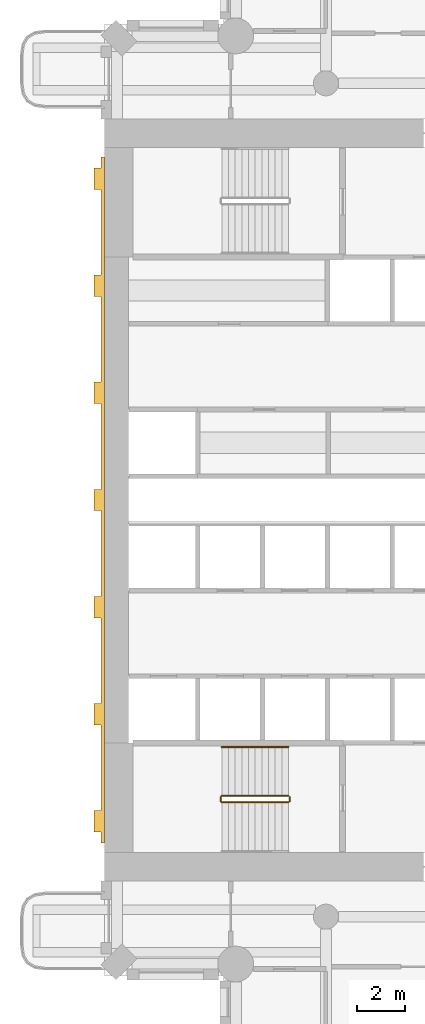
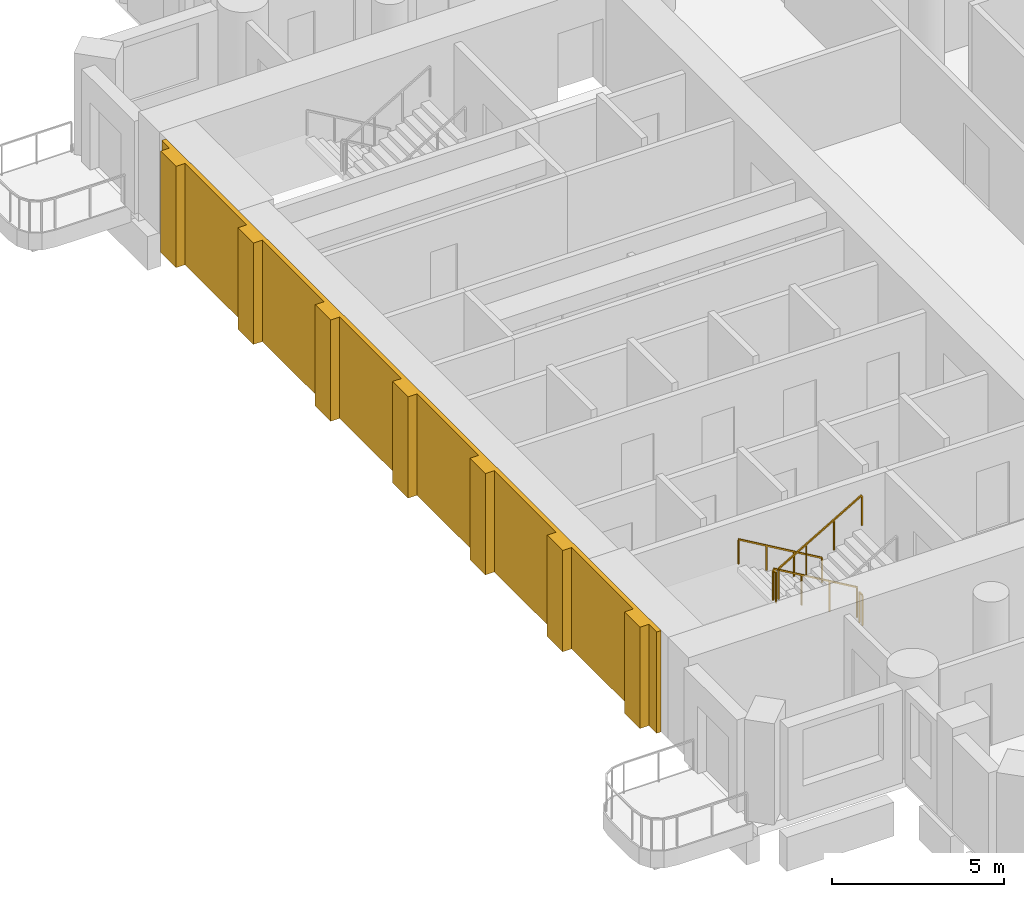
# One storey, part 13 of 19: 5 railings, 1 covering.
"""IFC4 building model written with IfcOpenShell, lengths in metres."""

from ifc_helpers import new_model, si_unit, direction, frame, origin, origin_2d, place, context, subcontext, project, spatial, polyline, rectangle, outline, extrude, material, layer, layer_set, type_object, element, save


model = new_model("IFC4")

# Units and contexts
model_context = context("Model", 3, precision=1e-05, world=origin(), true_north=direction((0.0, 1.0)))
body_context = subcontext(model_context, "Body", "Model", "MODEL_VIEW")
ifc_project = project(units=[si_unit("LENGTHUNIT", "METRE"), si_unit("AREAUNIT", "SQUARE_METRE"), si_unit("VOLUMEUNIT", "CUBIC_METRE"), si_unit("PLANEANGLEUNIT", "RADIAN"), si_unit("MASSUNIT", "GRAM", prefix="KILO")], contexts=[model_context])

# Site, building, storey
site_placement = place(None, origin())
site = spatial("IfcSite", under=ifc_project, at=site_placement, CompositionType="ELEMENT")
building_placement = place(site_placement, origin())
building = spatial("IfcBuilding", under=site, at=building_placement, Name="Cypress Arch Tower", CompositionType="ELEMENT")
storey_placement = place(building_placement, frame((0.0, 0.0, 138.300048828125)))
storey = spatial("IfcBuildingStorey", under=building, at=storey_placement, Name="L30", CompositionType="ELEMENT", Elevation=138.300048828125)

# Railings
ifc_material_1 = material(Name="Black powder-coated steel square bar 48 mm", Category="steel")
railing_type_1 = type_object("IfcRailingType", Name="Stair handrail HR1", PredefinedType="HANDRAIL", material=ifc_material_1)
railing_1_placement = place(storey_placement, frame((-22.27490234375, -10.375, 0.16357421875)))
element("IfcRailing", 1, at=railing_1_placement, inside=storey, type_object=railing_type_1, Name="L30 A stair handrail 1", PredefinedType="HANDRAIL", context=body_context, shape_type="SweptSolid", body=[
    extrude(rectangle(XDim=0.048095703125, YDim=0.048095703125, at=origin_2d()), frame((0.0, 0.0, 0.8759765625), z_axis=(-0.863360870873, 0.0, 0.504586966384), x_axis=(0.0, -1.0, 0.0)), (0.0, 0.0, 1.0), 3.2431640625),
    extrude(rectangle(XDim=0.0419921875, YDim=0.0419921875, at=origin_2d()), origin(), (0.0, 0.0, 1.0), 0.851806640625),
    extrude(rectangle(XDim=0.0419921875, YDim=0.0419921875, at=origin_2d()), frame((-0.933349609375, 0.0, 0.54541015625)), (0.0, 0.0, 1.0), 0.851806640625),
    extrude(rectangle(XDim=0.0419921875, YDim=0.0419921875, at=origin_2d()), frame((-1.86669921875, 0.0, 1.091064453125)), (0.0, 0.0, 1.0), 0.851806640625),
    extrude(rectangle(XDim=0.0419921875, YDim=0.0419921875, at=origin_2d()), frame((-2.800048828125, 0.0, 1.636474609375)), (0.0, 0.0, 1.0), 0.851806640625),
])
ifc_material_2 = material(Name="Black powder-coated steel balusters", Category="steel")
railing_type_2 = type_object("IfcRailingType", Name="Stair well guard G1", PredefinedType="GUARDRAIL", material=ifc_material_2)
railing_2_placement = place(storey_placement, frame((-22.27490234375, -12.425048828125, 0.16357421875)))
element("IfcRailing", 2, at=railing_2_placement, inside=storey, type_object=railing_type_2, Name="L30 A stair guard 1", PredefinedType="GUARDRAIL", context=body_context, shape_type="SweptSolid", body=[
    extrude(rectangle(XDim=0.048095703125, YDim=0.048095703125, at=origin_2d()), frame((0.0, 0.0, 1.076171875), z_axis=(-0.863360870873, 0.0, 0.504586966384), x_axis=(0.0, -1.0, 0.0)), (0.0, 0.0, 1.0), 3.2431640625),
    extrude(rectangle(XDim=0.0419921875, YDim=0.0419921875, at=origin_2d()), origin(), (0.0, 0.0, 1.0), 1.052001953125),
    extrude(rectangle(XDim=0.0419921875, YDim=0.0419921875, at=origin_2d()), frame((-0.933349609375, 0.0, 0.54541015625)), (0.0, 0.0, 1.0), 1.052001953125),
    extrude(rectangle(XDim=0.0419921875, YDim=0.0419921875, at=origin_2d()), frame((-1.86669921875, 0.0, 1.091064453125)), (0.0, 0.0, 1.0), 1.052001953125),
    extrude(rectangle(XDim=0.0419921875, YDim=0.0419921875, at=origin_2d()), frame((-2.800048828125, 0.0, 1.636474609375)), (0.0, 0.0, 1.0), 1.052001953125),
])
railing_3_placement = place(storey_placement, frame((-25.125, -12.47509765625, 1.800048828125)))
element("IfcRailing", 3, at=railing_3_placement, inside=storey, type_object=railing_type_2, Name="L30 A stair guard 2", PredefinedType="GUARDRAIL", context=body_context, shape_type="SweptSolid", body=[
    extrude(rectangle(XDim=0.048095703125, YDim=0.048095703125, at=origin_2d()), frame((0.0, 0.0, 1.076171875), z_axis=(0.0, -1.0, 0.0), x_axis=(1.0, 0.0, 0.0)), (0.0, 0.0, 1.0), 0.1748046875),
    extrude(rectangle(XDim=0.0419921875, YDim=0.0419921875, at=origin_2d()), origin(), (0.0, 0.0, 1.0), 1.052001953125),
    extrude(rectangle(XDim=0.0419921875, YDim=0.0419921875, at=origin_2d()), frame((0.0, -0.1748046875, 0.0)), (0.0, 0.0, 1.0), 1.052001953125),
])
railing_4_placement = place(storey_placement, frame((-25.074951171875, -12.699951171875, 1.963623046875)))
element("IfcRailing", 4, at=railing_4_placement, inside=storey, type_object=railing_type_2, Name="L30 A stair guard 3", PredefinedType="GUARDRAIL", context=body_context, shape_type="SweptSolid", body=[
    extrude(rectangle(XDim=0.048095703125, YDim=0.048095703125, at=origin_2d()), frame((0.0, 0.0, 1.076171875), z_axis=(0.863393664356, 0.0, 0.504530851732), x_axis=(0.0, 1.0, 0.0)), (0.0, 0.0, 1.0), 3.2431640625),
    extrude(rectangle(XDim=0.0419921875, YDim=0.0419921875, at=origin_2d()), origin(), (0.0, 0.0, 1.0), 1.052001953125),
    extrude(rectangle(XDim=0.0419921875, YDim=0.0419921875, at=origin_2d()), frame((0.933349609375, 0.0, 0.54541015625)), (0.0, 0.0, 1.0), 1.052001953125),
    extrude(rectangle(XDim=0.0419921875, YDim=0.0419921875, at=origin_2d()), frame((1.86669921875, 0.0, 1.0908203125)), (0.0, 0.0, 1.0), 1.052001953125),
    extrude(rectangle(XDim=0.0419921875, YDim=0.0419921875, at=origin_2d()), frame((2.800048828125, 0.0, 1.63623046875)), (0.0, 0.0, 1.0), 1.052001953125),
])
railing_5_placement = place(storey_placement, frame((-22.22509765625, -12.47509765625, 0.0)))
element("IfcRailing", 5, at=railing_5_placement, inside=storey, type_object=railing_type_2, Name="L30 A stair guard 4", PredefinedType="GUARDRAIL", context=body_context, shape_type="SweptSolid", body=[
    extrude(rectangle(XDim=0.048095703125, YDim=0.048095703125, at=origin_2d()), frame((0.0, 0.0, 1.076171875), z_axis=(0.0, -1.0, 0.0), x_axis=(1.0, 0.0, 0.0)), (0.0, 0.0, 1.0), 0.1748046875),
    extrude(rectangle(XDim=0.0419921875, YDim=0.0419921875, at=origin_2d()), origin(), (0.0, 0.0, 1.0), 1.052001953125),
    extrude(rectangle(XDim=0.0419921875, YDim=0.0419921875, at=origin_2d()), frame((0.0, -0.1748046875, 0.0)), (0.0, 0.0, 1.0), 1.052001953125),
])

# Covering
ifc_material_3 = material(Name="Brick (red buff blend)", Category="masonry")
ifc_layer = layer(ifc_material_3, 0.449951171875)
ifc_layer_set = layer_set([ifc_layer], Name="West face brick piers WP450")
covering_type = type_object("IfcCoveringType", Name="West face brick piers WP450", PredefinedType="CLADDING", material=ifc_layer_set)
covering_placement = place(storey_placement, origin())
element("IfcCovering", 6, at=covering_placement, inside=storey, type_object=covering_type, Name="West face brick piers L30", PredefinedType="CLADDING", context=body_context, shape_type="SweptSolid", body=[
    extrude(outline(polyline([(-30.14990234375, -13.050048828125), (-30.14990234375, -9.449951171875), (-30.449951171875, -9.449951171875), (-30.449951171875, -8.550048828125), (-30.14990234375, -8.550048828125), (-30.14990234375, -4.949951171875), (-30.449951171875, -4.949951171875), (-30.449951171875, -4.050048828125), (-30.14990234375, -4.050048828125), (-30.14990234375, -0.449951171875), (-30.449951171875, -0.449951171875), (-30.449951171875, 0.449951171875), (-30.14990234375, 0.449951171875), (-30.14990234375, 4.050048828125), (-30.449951171875, 4.050048828125), (-30.449951171875, 4.949951171875), (-30.14990234375, 4.949951171875), (-30.14990234375, 8.550048828125), (-30.449951171875, 8.550048828125), (-30.449951171875, 9.449951171875), (-30.14990234375, 9.449951171875), (-30.14990234375, 13.050048828125), (-30.449951171875, 13.050048828125), (-30.449951171875, 13.949951171875), (-30.14990234375, 13.949951171875), (-30.14990234375, 14.39990234375), (-30.0, 14.39990234375), (-30.0, -14.39990234375), (-30.14990234375, -14.39990234375), (-30.14990234375, -13.949951171875), (-30.449951171875, -13.949951171875), (-30.449951171875, -13.050048828125), (-30.14990234375, -13.050048828125)])), origin(), (0.0, 0.0, 1.0), 3.599853515625),
])

save(model, "model.ifc")
